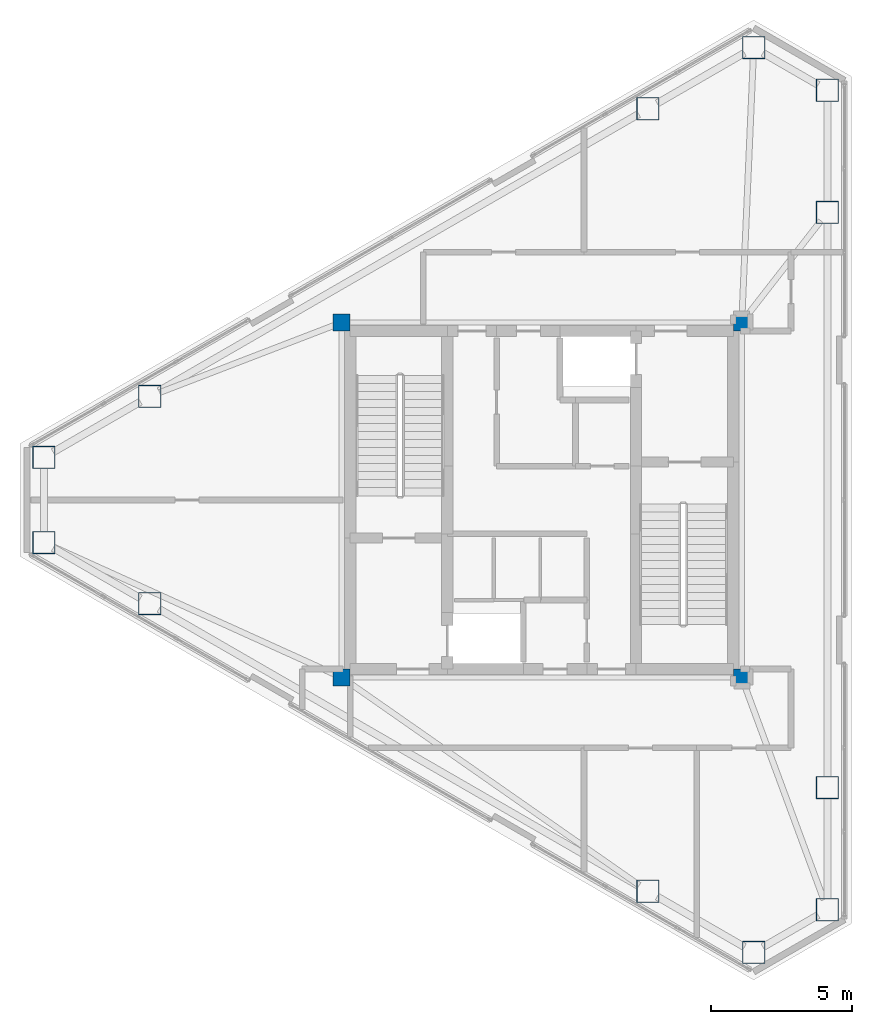
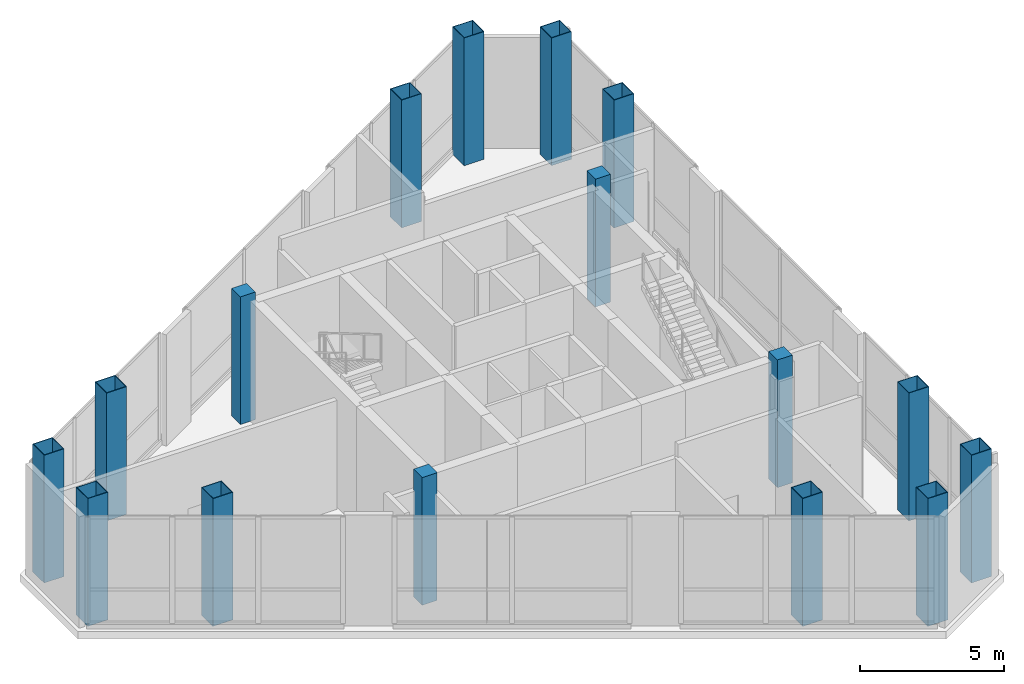
# One storey, part 1 of 13: 16 columns.
"""IFC4 building model written with IfcOpenShell, lengths in metres."""

import ifcopenshell
import ifcopenshell.guid

model = None  # the IFC model being written
_history = None  # IfcOwnerHistory: only IFC2X3 demands one
_inside = {}  # id of a spatial element -> (the spatial element, [elements in it])
_under = {}  # id of a project, library or spatial element -> (it, [spatial elements below it])
_declared = {}  # id of a project -> (the project, [libraries it declares])
_typed = {}  # id of a type object -> (the type object, [elements of that type])
_made_of = {}  # id of a material, layer set ... -> (it, [elements and type objects made of it])


def new_model(schema):
    """Start an empty IFC model of exactly this schema.

    Asked for "IFC4X3", IfcOpenShell would pick the latest addendum, in which some entities
    have other attributes; the version numbers below select the first issue.
    IFC2X3 requires an IfcOwnerHistory on every rooted entity: one is made here for all.
    """
    global model, _history
    if schema == "IFC4X3":
        model = ifcopenshell.file(schema_version=(4, 3, 0, 0))
    else:
        model = ifcopenshell.file(schema=schema)
    _inside.clear()
    _under.clear()
    _declared.clear()
    _typed.clear()
    _made_of.clear()
    _history = None
    if model.schema == "IFC2X3":
        org = make("IfcOrganization", Name="unknown")
        user = make(
            "IfcPersonAndOrganization",
            ThePerson=make("IfcPerson", FamilyName="unknown"),
            TheOrganization=org,
        )
        app = make(
            "IfcApplication",
            ApplicationDeveloper=org,
            Version="unknown",
            ApplicationFullName="unknown",
            ApplicationIdentifier="unknown",
        )
        _history = make(
            "IfcOwnerHistory",
            OwningUser=user,
            OwningApplication=app,
            ChangeAction="ADDED",
            CreationDate=0,
        )
    return model


def make(cls, **values):
    """One entity of the class cls with the attributes given. An attribute that is None is left unset."""
    return model.create_entity(
        cls, **{name: value for name, value in values.items() if value is not None}
    )


def rooted(cls, **values):
    """An entity with a GlobalId (a new one), such as an element, a storey or a relation."""
    return make(cls, GlobalId=ifcopenshell.guid.new(), OwnerHistory=_history, **values)


def si_unit(unit_type, name, prefix=None):
    """IfcSIUnit, for example si_unit("LENGTHUNIT", "METRE", prefix="MILLI")."""
    return make("IfcSIUnit", UnitType=unit_type, Prefix=prefix, Name=name)


def assignment(units):
    """IfcUnitAssignment: the units of a project."""
    return None if units is None else make("IfcUnitAssignment", Units=units)


def point(xyz):
    """IfcCartesianPoint."""
    return None if xyz is None else make("IfcCartesianPoint", Coordinates=xyz)


def direction(xyz):
    """IfcDirection."""
    return None if xyz is None else make("IfcDirection", DirectionRatios=xyz)


def frame(location, z_axis=None, x_axis=None):
    """IfcAxis2Placement3D, a coordinate frame: its origin and axes. An axis left out is left unset."""
    return make(
        "IfcAxis2Placement3D",
        Location=point(location),
        Axis=direction(z_axis),
        RefDirection=direction(x_axis),
    )


def frame_2d(location, x_axis=None):
    """IfcAxis2Placement2D, a coordinate frame in the plane: its origin and x axis."""
    return make(
        "IfcAxis2Placement2D", Location=point(location), RefDirection=direction(x_axis)
    )


def origin():
    """The frame at (0, 0, 0) with its axes left unset."""
    return frame((0.0, 0.0, 0.0))


def origin_2d():
    """The frame at (0, 0) in the plane with its x axis left unset."""
    return frame_2d((0.0, 0.0))


def place(relative_to, where):
    """IfcLocalPlacement: puts the frame where relative to a parent placement (None: the world)."""
    return make(
        "IfcLocalPlacement", PlacementRelTo=relative_to, RelativePlacement=where
    )


def context(
    kind, dimensions, precision=None, world=None, true_north=None, identifier=None
):
    """IfcGeometricRepresentationContext, for example the 3D "Model" context."""
    return make(
        "IfcGeometricRepresentationContext",
        ContextIdentifier=identifier,
        ContextType=kind,
        CoordinateSpaceDimension=dimensions,
        Precision=precision,
        WorldCoordinateSystem=world,
        TrueNorth=true_north,
    )


def subcontext(parent, identifier, kind, view, scale=None):
    """IfcGeometricRepresentationSubContext, for example "Body" below "Model"."""
    return make(
        "IfcGeometricRepresentationSubContext",
        ContextIdentifier=identifier,
        ContextType=kind,
        ParentContext=parent,
        TargetScale=scale,
        TargetView=view,
    )


def project(units=None, contexts=None):
    """IfcProject with its units and contexts."""
    return rooted(
        "IfcProject",
        Name="project",
        RepresentationContexts=contexts,
        UnitsInContext=assignment(units),
    )


def spatial(cls, under=None, at=None, **own):
    """A site, building, storey or space (cls), placed at a placement, below another one or the project."""
    s = rooted(cls, ObjectPlacement=at, **own)
    if under is not None:
        _under.setdefault(under.id(), (under, []))[1].append(s)
    return s


def profile(cls, at=None, kind="AREA", **sizes):
    """A parametric profile (cls). Its sizes go by their IFC names, for example OverallWidth=200.0."""
    return make(cls, ProfileType=kind, Position=at, **sizes)


def rectangle(**sizes):
    """IfcRectangleProfileDef."""
    return profile("IfcRectangleProfileDef", **sizes)


def hollow_rectangle(**sizes):
    """IfcRectangleHollowProfileDef."""
    return profile("IfcRectangleHollowProfileDef", **sizes)


def extrude(swept, where, along, depth):
    """IfcExtrudedAreaSolid: the profile swept, set in the frame where, extruded along a direction by depth."""
    return make(
        "IfcExtrudedAreaSolid",
        SweptArea=swept,
        Position=where,
        ExtrudedDirection=direction(along),
        Depth=depth,
    )


def shape(context_of_items, identifier, shape_type, items):
    """IfcShapeRepresentation: the items that make up one representation, for example the "Body"."""
    return make(
        "IfcShapeRepresentation",
        ContextOfItems=context_of_items,
        RepresentationIdentifier=identifier,
        RepresentationType=shape_type,
        Items=items,
    )


def material(Name=None, Category=None):
    """IfcMaterial."""
    return make("IfcMaterial", Name=Name, Category=Category)


def material_profile(
    of_material, cross_section, Name=None, Category=None, Priority=None
):
    """IfcMaterialProfile: a cross section and its material."""
    return make(
        "IfcMaterialProfile",
        Name=Name,
        Material=of_material,
        Profile=cross_section,
        Priority=Priority,
        Category=Category,
    )


def profile_set(profiles, Name=None, composite=None):
    """IfcMaterialProfileSet."""
    return make(
        "IfcMaterialProfileSet",
        Name=Name,
        MaterialProfiles=profiles,
        CompositeProfile=composite,
    )


def made_of(thing, what):
    """Note that an element or type object is made of a material, layer set ...; save() writes the relation."""
    if what is not None:
        _made_of.setdefault(what.id(), (what, []))[1].append(thing)
    return thing


def type_object(cls, material=None, **own):
    """A type object (cls), such as IfcWallType, which elements share."""
    return made_of(rooted(cls, **own), material)


def element(
    cls,
    number,
    at=None,
    inside=None,
    cuts=None,
    type_object=None,
    material=None,
    context=None,
    identifier="Body",
    shape_type=None,
    held_by="IfcProductDefinitionShape",
    body=None,
    shapes=None,
    **own,
):
    """One element of the class cls, such as IfcWall. Its Tag is "e" and its number.

    at: its placement. inside: the storey or other place that contains it. cuts: it is an
    opening in that element (IfcRelVoidsElement). A single representation is given by context,
    identifier, shape_type and body (its items); several are given by shapes. held_by: the class
    of the entity that holds the representations. save() writes the other relations.
    """
    e = rooted(cls, Tag="e%d" % number, ObjectPlacement=at, **own)
    if body is not None:
        shapes = [shape(context, identifier, shape_type, body)]
    if shapes is not None:
        e.Representation = make(held_by, Representations=shapes)
    if inside is not None:
        _inside.setdefault(inside.id(), (inside, []))[1].append(e)
    if cuts is not None:
        rooted(
            "IfcRelVoidsElement", RelatingBuildingElement=cuts, RelatedOpeningElement=e
        )
    if type_object is not None:
        _typed.setdefault(type_object.id(), (type_object, []))[1].append(e)
    return made_of(e, material)


def aggregate(whole, parts):
    """IfcRelAggregates: a whole, such as a stair, and the parts it consists of."""
    return rooted("IfcRelAggregates", RelatingObject=whole, RelatedObjects=parts)


def save(model, path):
    """Write the relations noted so far, then the file.

    IfcRelAggregates (storeys below a building ...), IfcRelContainedInSpatialStructure (elements
    in a storey), IfcRelDefinesByType, IfcRelAssociatesMaterial and IfcRelDeclares: one each for
    every whole, place, type object, material and project.
    """
    for whole, parts in _under.values():
        aggregate(whole, parts)
    for where, things in _inside.values():
        rooted(
            "IfcRelContainedInSpatialStructure",
            RelatedElements=things,
            RelatingStructure=where,
        )
    for kind, things in _typed.values():
        rooted("IfcRelDefinesByType", RelatedObjects=things, RelatingType=kind)
    for what, things in _made_of.values():
        rooted("IfcRelAssociatesMaterial", RelatedObjects=things, RelatingMaterial=what)
    for by, libraries in _declared.values():
        rooted("IfcRelDeclares", RelatingContext=by, RelatedDefinitions=libraries)
    model.write(path)


model = new_model("IFC4")

# Units and contexts
model_context = context("Model", 3, precision=1e-05, world=origin(), true_north=direction((0.0, 1.0)))
body_context = subcontext(model_context, "Body", "Model", "MODEL_VIEW")
ifc_project = project(units=[si_unit("LENGTHUNIT", "METRE"), si_unit("AREAUNIT", "SQUARE_METRE"), si_unit("VOLUMEUNIT", "CUBIC_METRE"), si_unit("PLANEANGLEUNIT", "RADIAN"), si_unit("MASSUNIT", "GRAM", prefix="KILO")], contexts=[model_context])

# Site, building, storey
site_placement = place(None, origin())
site = spatial("IfcSite", under=ifc_project, at=site_placement, CompositionType="ELEMENT")
building_placement = place(site_placement, origin())
building = spatial("IfcBuilding", under=site, at=building_placement, Name="Mersakhor Tower and Convention Hall", CompositionType="ELEMENT")
storey_placement = place(building_placement, frame((0.0, 0.0, 258.60009765625)))
storey = spatial("IfcBuildingStorey", under=building, at=storey_placement, Name="L72", CompositionType="ELEMENT", Elevation=258.60009765625)

# Columns
ifc_material_1 = material(Name="Concrete C50/60 in S460M steel box", Category="concrete")
ifc_material_profile_1 = material_profile(ifc_material_1, hollow_rectangle(XDim=0.800048828125, YDim=0.800048828125, WallThickness=0.02490234375, at=origin_2d()), Name="SHS 800x800x25")
ifc_profile_set_1 = profile_set([ifc_material_profile_1], Name="Concrete C50/60 in S460M steel box")
column_type_1 = type_object("IfcColumnType", Name="COL-CFT-800", PredefinedType="COLUMN", material=ifc_profile_set_1)
for number, where, z_axis, x_axis, name in (
    (1, (11.33203125, 28.26123046875, 0.0), (0.0, 0.0, 1.0), (1.0, 0.0, 0.0), "L72 Perimeter Mega-Column MC-01"),
    (2, (15.085693359375, 30.428466796875, 0.0), (0.0, 0.0, 1.0), (1.0, 0.0, 0.0), "L72 Perimeter Mega-Column MC-02"),
    (3, (32.771484375, 40.639404296875, 0.0), (0.0, 0.0, 1.0), (1.0, 0.0, 0.0), "L72 Perimeter Mega-Column MC-03"),
    (4, (36.525146484375, 42.806640625, 0.0), (0.0, 0.0, 1.0), (1.0, 0.0, 0.0), "L72 Perimeter Mega-Column MC-04"),
    (5, (39.142822265625, 41.29541015625, 0.0), (0.0, 0.0, 1.0), (1.0, 0.0, 0.0), "L72 Perimeter Mega-Column MC-05"),
    (6, (39.142822265625, 36.960693359375, 0.0), (0.0, 0.0, 1.0), (1.0, 0.0, 0.0), "L72 Perimeter Mega-Column MC-06"),
    (7, (39.142822265625, 16.539306640625, 0.0), (0.0, 0.0, 1.0), (1.0, 0.0, 0.0), "L72 Perimeter Mega-Column MC-07"),
    (8, (39.142822265625, 12.20458984375, 0.0), (0.0, 0.0, 1.0), (1.0, 0.0, 0.0), "L72 Perimeter Mega-Column MC-08"),
    (9, (36.525146484375, 10.693359375, 0.0), (0.0, 0.0, 1.0), (1.0, 0.0, 0.0), "L72 Perimeter Mega-Column MC-09"),
    (10, (32.771484375, 12.860595703125, 0.0), (0.0, 0.0, 1.0), (1.0, 0.0, 0.0), "L72 Perimeter Mega-Column MC-10"),
    (11, (15.085693359375, 23.071533203125, 0.0), (0.0, 0.0, 1.0), (1.0, 0.0, 0.0), "L72 Perimeter Mega-Column MC-11"),
    (12, (11.33203125, 25.23876953125, 0.0), (0.0, 0.0, 1.0), (1.0, 0.0, 0.0), "L72 Perimeter Mega-Column MC-12"),
):
    element("IfcColumn", number, at=place(storey_placement, frame(where, z_axis=z_axis, x_axis=x_axis)), inside=storey, type_object=column_type_1, Name=name, PredefinedType="COLUMN", context=body_context, shape_type="SweptSolid", body=[
        extrude(hollow_rectangle(XDim=0.800048828125, YDim=0.800048828125, WallThickness=0.02490234375, at=origin_2d()), origin(), (0.0, 0.0, 1.0), 5.39990234375),
    ])
ifc_material_2 = material(Name="Concrete C50/60", Category="concrete")
ifc_material_profile_2 = material_profile(ifc_material_2, rectangle(XDim=0.60009765625, YDim=0.60009765625, at=origin_2d()), Name="RC 600x600")
ifc_profile_set_2 = profile_set([ifc_material_profile_2], Name="Concrete C50/60")
column_type_2 = type_object("IfcColumnType", Name="COL-RC-600", PredefinedType="COLUMN", material=ifc_profile_set_2)
for number, where, z_axis, x_axis, name in (
    (13, (21.89990234375, 20.449951171875, 0.0), (0.0, 0.0, 1.0), (1.0, 0.0, 0.0), "L72 Core Corner Column CC-1"),
    (14, (21.89990234375, 33.050048828125, 0.0), (0.0, 0.0, 1.0), (1.0, 0.0, 0.0), "L72 Core Corner Column CC-2"),
    (15, (36.10009765625, 33.050048828125, 0.0), (0.0, 0.0, 1.0), (1.0, 0.0, 0.0), "L72 Core Corner Column CC-3"),
    (16, (36.10009765625, 20.449951171875, 0.0), (0.0, 0.0, 1.0), (1.0, 0.0, 0.0), "L72 Core Corner Column CC-4"),
):
    element("IfcColumn", number, at=place(storey_placement, frame(where, z_axis=z_axis, x_axis=x_axis)), inside=storey, type_object=column_type_2, Name=name, PredefinedType="COLUMN", context=body_context, shape_type="SweptSolid", body=[
        extrude(rectangle(XDim=0.60009765625, YDim=0.60009765625, at=origin_2d()), origin(), (0.0, 0.0, 1.0), 5.39990234375),
    ])

save(model, "model.ifc")
